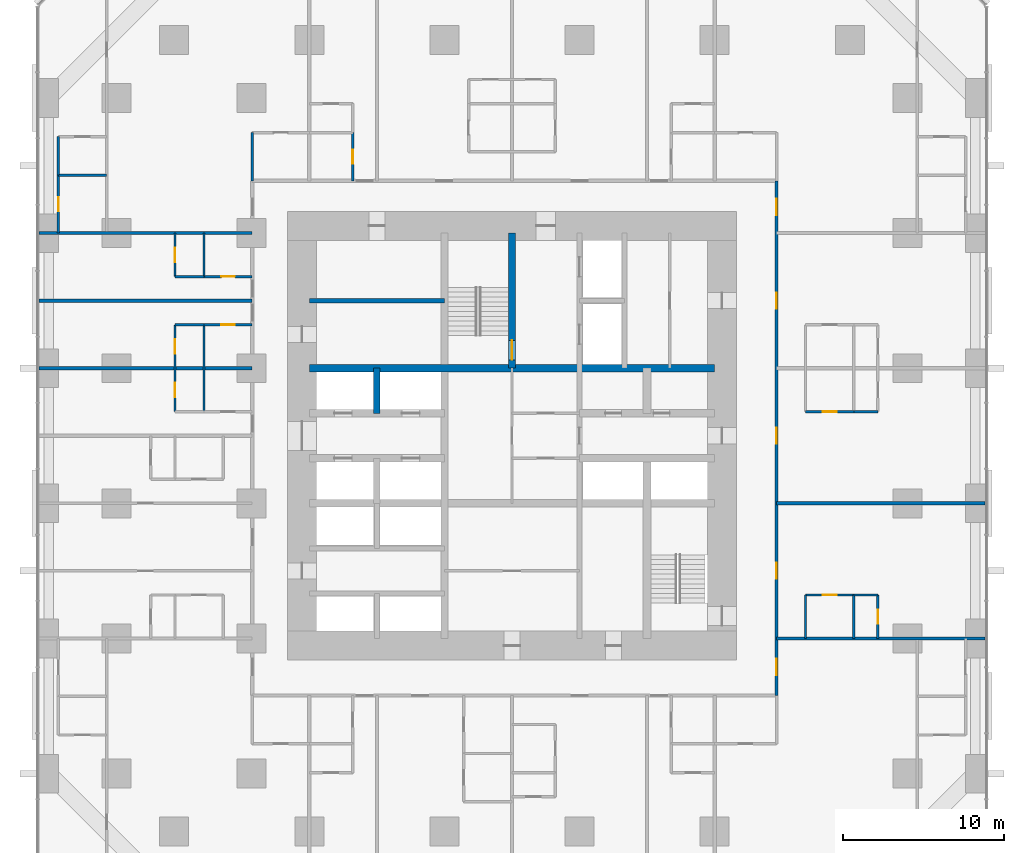
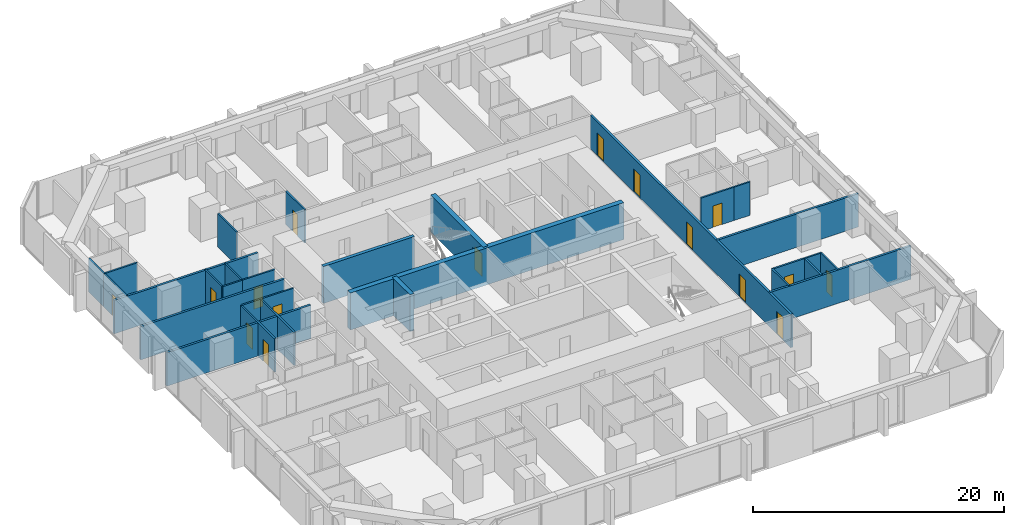
# One storey, part 14 of 17: 30 walls, 16 doors, 16 openings.
"""IFC4 building model written with IfcOpenShell, lengths in metres."""

from ifc_helpers import new_model, si_unit, direction, frame, frame_2d, origin, place, context, subcontext, project, spatial, rectangle, extrude, material, layer, layer_set, type_object, element, fill, save


model = new_model("IFC4")

# Units and contexts
model_context = context("Model", 3, precision=1e-05, world=origin(), true_north=direction((0.0, 1.0)))
body_context = subcontext(model_context, "Body", "Model", "MODEL_VIEW")
ifc_project = project(units=[si_unit("LENGTHUNIT", "METRE"), si_unit("AREAUNIT", "SQUARE_METRE"), si_unit("VOLUMEUNIT", "CUBIC_METRE"), si_unit("PLANEANGLEUNIT", "RADIAN"), si_unit("MASSUNIT", "GRAM", prefix="KILO")], contexts=[model_context])

# Site, building, storey
site_placement = place(None, origin())
site = spatial("IfcSite", under=ifc_project, at=site_placement, CompositionType="ELEMENT")
building_placement = place(site_placement, origin())
building = spatial("IfcBuilding", under=site, at=building_placement, Name="Dunama Terrace Hotel", CompositionType="ELEMENT")
storey_placement = place(building_placement, frame((0.0, 0.0, 34.199951171875)))
storey = spatial("IfcBuildingStorey", under=building, at=storey_placement, Name="L07", CompositionType="ELEMENT", Elevation=34.199951171875)

# Wall, opening, door
ifc_material_1 = material(Name="Gypsum board partition", Category="masonry")
ifc_layer_1 = layer(ifc_material_1, 0.14990234375)
ifc_layer_set_1 = layer_set([ifc_layer_1], Name="Bathroom partition 150")
wall_type_1 = type_object("IfcWallType", Name="Bathroom partition 150", PredefinedType="PARTITIONING", material=ifc_layer_set_1)
wall_1_placement = place(storey_placement, frame((1.199951171875, 42.0, 0.0), z_axis=(0.0, 0.0, 1.0), x_axis=(0.0, 1.0, 0.0)))
wall_1 = element("IfcWall", 1, at=wall_1_placement, inside=storey, type_object=wall_type_1, Name="Bathroom partition 150 L07", PredefinedType="PARTITIONING", context=body_context, shape_type="SweptSolid", body=[
    extrude(rectangle(XDim=3.60009765625, YDim=0.14990234375, at=frame_2d((1.800048828125, 0.0))), origin(), (0.0, 0.0, 1.0), 3.25),
])
opening_1_placement = place(wall_1_placement, frame((1.375, 0.0, 0.0)))
opening_1 = element("IfcOpeningElement", 2, at=opening_1_placement, cuts=wall_1, Name="Opening L07-09-076", PredefinedType="OPENING", context=body_context, shape_type="SweptSolid", body=[
    extrude(rectangle(XDim=0.85009765625, YDim=2.10009765625, at=frame_2d((0.425048828125, 1.050048828125))), frame((0.0, 0.0849609375, 0.0), z_axis=(0.0, -1.0, 0.0), x_axis=(1.0, 0.0, 0.0)), (0.0, 0.0, 1.0), 0.169921875),
])
ifc_material_2 = material(Name="Timber door with steel frame", Category="steel")
door_type_1 = type_object("IfcDoorType", Name="Bathroom door 850", OperationType="SINGLE_SWING_LEFT", PredefinedType="DOOR", material=ifc_material_2)
door_1_placement = place(opening_1_placement, frame((0.85009765625, 0.0, 0.0), z_axis=(0.0, 0.0, 1.0), x_axis=(-1.0, 0.0, 0.0)))
door_1 = element("IfcDoor", 3, at=door_1_placement, inside=storey, type_object=door_type_1, Name="Door to en-suite bathroom L07-09-076, type D2", OperationType="SINGLE_SWING_RIGHT", OverallHeight=2.10009765625, OverallWidth=0.85009765625, PredefinedType="DOOR", context=body_context, shape_type="SweptSolid", body=[
    extrude(rectangle(XDim=0.85009765625, YDim=2.10009765625, at=frame_2d((0.425048828125, 1.050048828125))), frame((0.0, 0.025146484375, 0.0), z_axis=(0.0, -1.0, 0.0), x_axis=(1.0, 0.0, 0.0)), (0.0, 0.0, 1.0), 0.050048828125),
])
fill(opening_1, door_1)

# Wall
wall_2_placement = place(storey_placement, frame((13.25, 45.25, 0.0), z_axis=(0.0, 0.0, 1.0), x_axis=(0.0, 1.0, 0.0)))
element("IfcWall", 4, at=wall_2_placement, inside=storey, type_object=wall_type_1, Name="Bathroom partition 150 L07", PredefinedType="PARTITIONING", context=body_context, shape_type="SweptSolid", body=[
    extrude(rectangle(XDim=3.0, YDim=0.14990234375, at=frame_2d((1.5, 0.0))), origin(), (0.0, 0.0, 1.0), 3.25),
])

# Wall, opening, door
wall_3_placement = place(storey_placement, frame((19.5, 45.25, 0.0), z_axis=(0.0, 0.0, 1.0), x_axis=(0.0, 1.0, 0.0)))
wall_3 = element("IfcWall", 5, at=wall_3_placement, inside=storey, type_object=wall_type_1, Name="Bathroom partition 150 L07", PredefinedType="PARTITIONING", context=body_context, shape_type="SweptSolid", body=[
    extrude(rectangle(XDim=3.0, YDim=0.14990234375, at=frame_2d((1.5, 0.0))), origin(), (0.0, 0.0, 1.0), 3.25),
])
opening_2_placement = place(wall_3_placement, frame((1.074951171875, 0.0, 0.0)))
opening_2 = element("IfcOpeningElement", 6, at=opening_2_placement, cuts=wall_3, Name="Opening L07-09-031", PredefinedType="OPENING", context=body_context, shape_type="SweptSolid", body=[
    extrude(rectangle(XDim=0.85009765625, YDim=2.10009765625, at=frame_2d((0.425048828125, 1.050048828125))), frame((0.0, 0.0849609375, 0.0), z_axis=(0.0, -1.0, 0.0), x_axis=(1.0, 0.0, 0.0)), (0.0, 0.0, 1.0), 0.169921875),
])
door_2_placement = place(opening_2_placement, origin())
door_2 = element("IfcDoor", 7, at=door_2_placement, inside=storey, type_object=door_type_1, Name="Door to en-suite bathroom L07-09-031, type D2", OperationType="SINGLE_SWING_LEFT", OverallHeight=2.10009765625, OverallWidth=0.85009765625, PredefinedType="DOOR", context=body_context, shape_type="SweptSolid", body=[
    extrude(rectangle(XDim=0.85009765625, YDim=2.10009765625, at=frame_2d((0.425048828125, 1.050048828125))), frame((0.0, 0.02490234375, 0.0), z_axis=(0.0, -1.0, 0.0), x_axis=(1.0, 0.0, 0.0)), (0.0, 0.0, 1.0), 0.050048828125),
])
fill(opening_2, door_2)

# Wall
wall_4_placement = place(storey_placement, frame((47.64990234375, 16.800048828125, 0.0), z_axis=(0.0, 0.0, 1.0), x_axis=(0.0, 1.0, 0.0)))
element("IfcWall", 8, at=wall_4_placement, inside=storey, type_object=wall_type_1, Name="Bathroom partition 150 L07", PredefinedType="PARTITIONING", context=body_context, shape_type="SweptSolid", body=[
    extrude(rectangle(XDim=2.699951171875, YDim=0.14990234375, at=frame_2d((1.35009765625, 0.0))), origin(), (0.0, 0.0, 1.0), 3.25),
])

# Wall, opening, door
wall_5_placement = place(storey_placement, frame((47.64990234375, 19.5, 0.0), z_axis=(0.0, 0.0, 1.0), x_axis=(1.0, 0.0, 0.0)))
wall_5 = element("IfcWall", 9, at=wall_5_placement, inside=storey, type_object=wall_type_1, Name="Bathroom partition 150 L07", PredefinedType="PARTITIONING", context=body_context, shape_type="SweptSolid", body=[
    extrude(rectangle(XDim=3.0, YDim=0.14990234375, at=frame_2d((1.5, 0.0))), origin(), (0.0, 0.0, 1.0), 3.25),
])
opening_3_placement = place(wall_5_placement, frame((1.074951171875, 0.0, 0.0)))
opening_3 = element("IfcOpeningElement", 10, at=opening_3_placement, cuts=wall_5, Name="Opening L07-09-022", PredefinedType="OPENING", context=body_context, shape_type="SweptSolid", body=[
    extrude(rectangle(XDim=0.85009765625, YDim=2.10009765625, at=frame_2d((0.425048828125, 1.050048828125))), frame((0.0, 0.0849609375, 0.0), z_axis=(0.0, -1.0, 0.0), x_axis=(1.0, 0.0, 0.0)), (0.0, 0.0, 1.0), 0.169921875),
])
door_3_placement = place(opening_3_placement, frame((0.85009765625, 0.0, 0.0), z_axis=(0.0, 0.0, 1.0), x_axis=(-1.0, 0.0, 0.0)))
door_3 = element("IfcDoor", 11, at=door_3_placement, inside=storey, type_object=door_type_1, Name="Door to en-suite bathroom L07-09-022, type D2", OperationType="SINGLE_SWING_LEFT", OverallHeight=2.10009765625, OverallWidth=0.85009765625, PredefinedType="DOOR", context=body_context, shape_type="SweptSolid", body=[
    extrude(rectangle(XDim=0.85009765625, YDim=2.10009765625, at=frame_2d((0.425048828125, 1.050048828125))), frame((0.0, 0.025146484375, 0.0), z_axis=(0.0, -1.0, 0.0), x_axis=(1.0, 0.0, 0.0)), (0.0, 0.0, 1.0), 0.050048828125),
])
fill(opening_3, door_3)

wall_6_placement = place(storey_placement, frame((47.64990234375, 30.89990234375, 0.0), z_axis=(0.0, 0.0, 1.0), x_axis=(1.0, 0.0, 0.0)))
wall_6 = element("IfcWall", 12, at=wall_6_placement, inside=storey, type_object=wall_type_1, Name="Bathroom partition 150 L07", PredefinedType="PARTITIONING", context=body_context, shape_type="SweptSolid", body=[
    extrude(rectangle(XDim=3.0, YDim=0.14990234375, at=frame_2d((1.5, 0.0))), origin(), (0.0, 0.0, 1.0), 3.25),
])
opening_4_placement = place(wall_6_placement, frame((1.074951171875, 0.0, 0.0)))
opening_4 = element("IfcOpeningElement", 13, at=opening_4_placement, cuts=wall_6, Name="Opening L07-09-025", PredefinedType="OPENING", context=body_context, shape_type="SweptSolid", body=[
    extrude(rectangle(XDim=0.85009765625, YDim=2.10009765625, at=frame_2d((0.425048828125, 1.050048828125))), frame((0.0, 0.0849609375, 0.0), z_axis=(0.0, -1.0, 0.0), x_axis=(1.0, 0.0, 0.0)), (0.0, 0.0, 1.0), 0.169921875),
])
door_4_placement = place(opening_4_placement, origin())
door_4 = element("IfcDoor", 14, at=door_4_placement, inside=storey, type_object=door_type_1, Name="Door to en-suite bathroom L07-09-025, type D2", OperationType="SINGLE_SWING_RIGHT", OverallHeight=2.10009765625, OverallWidth=0.85009765625, PredefinedType="DOOR", context=body_context, shape_type="SweptSolid", body=[
    extrude(rectangle(XDim=0.85009765625, YDim=2.10009765625, at=frame_2d((0.425048828125, 1.050048828125))), frame((0.0, 0.02490234375, 0.0), z_axis=(0.0, -1.0, 0.0), x_axis=(1.0, 0.0, 0.0)), (0.0, 0.0, 1.0), 0.050048828125),
])
fill(opening_4, door_4)

wall_7_placement = place(storey_placement, frame((10.25, 36.300048828125, 0.0), z_axis=(0.0, 0.0, 1.0), x_axis=(1.0, 0.0, 0.0)))
wall_7 = element("IfcWall", 15, at=wall_7_placement, inside=storey, type_object=wall_type_1, Name="Bathroom partition 150 L07", PredefinedType="PARTITIONING", context=body_context, shape_type="SweptSolid", body=[
    extrude(rectangle(XDim=3.0, YDim=0.14990234375, at=frame_2d((1.5, 0.0))), origin(), (0.0, 0.0, 1.0), 3.25),
])
opening_5_placement = place(wall_7_placement, frame((1.074951171875, 0.0, 0.0)))
opening_5 = element("IfcOpeningElement", 16, at=opening_5_placement, cuts=wall_7, Name="Opening L07-09-053", PredefinedType="OPENING", context=body_context, shape_type="SweptSolid", body=[
    extrude(rectangle(XDim=0.85009765625, YDim=2.10009765625, at=frame_2d((0.425048828125, 1.050048828125))), frame((0.0, 0.0849609375, 0.0), z_axis=(0.0, -1.0, 0.0), x_axis=(1.0, 0.0, 0.0)), (0.0, 0.0, 1.0), 0.169921875),
])
door_5_placement = place(opening_5_placement, frame((0.85009765625, 0.0, 0.0), z_axis=(0.0, 0.0, 1.0), x_axis=(-1.0, 0.0, 0.0)))
door_5 = element("IfcDoor", 17, at=door_5_placement, inside=storey, type_object=door_type_1, Name="Door to en-suite bathroom L07-09-053, type D2", OperationType="SINGLE_SWING_LEFT", OverallHeight=2.10009765625, OverallWidth=0.85009765625, PredefinedType="DOOR", context=body_context, shape_type="SweptSolid", body=[
    extrude(rectangle(XDim=0.85009765625, YDim=2.10009765625, at=frame_2d((0.425048828125, 1.050048828125))), frame((0.0, 0.025146484375, 0.0), z_axis=(0.0, -1.0, 0.0), x_axis=(1.0, 0.0, 0.0)), (0.0, 0.0, 1.0), 0.050048828125),
])
fill(opening_5, door_5)

wall_8_placement = place(storey_placement, frame((10.25, 39.300048828125, 0.0), z_axis=(0.0, 0.0, 1.0), x_axis=(1.0, 0.0, 0.0)))
wall_8 = element("IfcWall", 18, at=wall_8_placement, inside=storey, type_object=wall_type_1, Name="Bathroom partition 150 L07", PredefinedType="PARTITIONING", context=body_context, shape_type="SweptSolid", body=[
    extrude(rectangle(XDim=3.0, YDim=0.14990234375, at=frame_2d((1.5, 0.0))), origin(), (0.0, 0.0, 1.0), 3.25),
])
opening_6_placement = place(wall_8_placement, frame((1.074951171875, 0.0, 0.0)))
opening_6 = element("IfcOpeningElement", 19, at=opening_6_placement, cuts=wall_8, Name="Opening L07-09-056", PredefinedType="OPENING", context=body_context, shape_type="SweptSolid", body=[
    extrude(rectangle(XDim=0.85009765625, YDim=2.10009765625, at=frame_2d((0.425048828125, 1.050048828125))), frame((0.0, 0.0849609375, 0.0), z_axis=(0.0, -1.0, 0.0), x_axis=(1.0, 0.0, 0.0)), (0.0, 0.0, 1.0), 0.169921875),
])
door_6_placement = place(opening_6_placement, origin())
door_6 = element("IfcDoor", 20, at=door_6_placement, inside=storey, type_object=door_type_1, Name="Door to en-suite bathroom L07-09-056, type D2", OperationType="SINGLE_SWING_RIGHT", OverallHeight=2.10009765625, OverallWidth=0.85009765625, PredefinedType="DOOR", context=body_context, shape_type="SweptSolid", body=[
    extrude(rectangle(XDim=0.85009765625, YDim=2.10009765625, at=frame_2d((0.425048828125, 1.050048828125))), frame((0.0, 0.02490234375, 0.0), z_axis=(0.0, -1.0, 0.0), x_axis=(1.0, 0.0, 0.0)), (0.0, 0.0, 1.0), 0.050048828125),
])
fill(opening_6, door_6)

# Walls
ifc_material_3 = material(Name="Concrete C50/60", Category="concrete")
ifc_layer_2 = layer(ifc_material_3, 0.300048828125)
ifc_layer_set_2 = layer_set([ifc_layer_2], Name="Core inner wall 300")
wall_type_2 = type_object("IfcWallType", Name="Core inner wall 300", PredefinedType="SHEAR", material=ifc_layer_set_2)
wall_9_placement = place(storey_placement, frame((16.800048828125, 37.800048828125, -0.349853515625), z_axis=(0.0, 0.0, 1.0), x_axis=(1.0, 0.0, 0.0)))
element("IfcWall", 21, at=wall_9_placement, inside=storey, type_object=wall_type_2, Name="Core inner wall 300 L07", PredefinedType="SHEAR", context=body_context, shape_type="SweptSolid", body=[
    extrude(rectangle(XDim=8.39990234375, YDim=0.300048828125, at=frame_2d((4.199951171875, 0.0))), origin(), (0.0, 0.0, 1.0), 3.599853515625),
])
ifc_material_4 = material(Name="Concrete C50/60", Category="concrete")
ifc_layer_3 = layer(ifc_material_4, 0.39990234375)
ifc_layer_set_3 = layer_set([ifc_layer_3], Name="Core inner wall 400")
wall_type_3 = type_object("IfcWallType", Name="Core inner wall 400", PredefinedType="SHEAR", material=ifc_layer_set_3)
wall_10_placement = place(storey_placement, frame((21.0, 30.800048828125, -0.349853515625), z_axis=(0.0, 0.0, 1.0), x_axis=(0.0, 1.0, 0.0)))
element("IfcWall", 22, at=wall_10_placement, inside=storey, type_object=wall_type_3, Name="Core inner wall 400 L07", PredefinedType="SHEAR", context=body_context, shape_type="SweptSolid", body=[
    extrude(rectangle(XDim=2.800048828125, YDim=0.39990234375, at=frame_2d((1.39990234375, 0.0))), origin(), (0.0, 0.0, 1.0), 3.599853515625),
])

# Wall, opening, door
ifc_material_5 = material(Name="Concrete C50/60", Category="concrete")
ifc_layer_4 = layer(ifc_material_5, 0.449951171875)
ifc_layer_set_4 = layer_set([ifc_layer_4], Name="Core inner wall 450")
wall_type_4 = type_object("IfcWallType", Name="Core inner wall 450", PredefinedType="SHEAR", material=ifc_layer_set_4)
wall_11_placement = place(storey_placement, frame((29.39990234375, 33.60009765625, -0.349853515625), z_axis=(0.0, 0.0, 1.0), x_axis=(0.0, 1.0, 0.0)))
wall_11 = element("IfcWall", 23, at=wall_11_placement, inside=storey, type_object=wall_type_4, Name="Core inner wall 450 L07", PredefinedType="SHEAR", context=body_context, shape_type="SweptSolid", body=[
    extrude(rectangle(XDim=8.39990234375, YDim=0.449951171875, at=frame_2d((4.199951171875, 0.0))), origin(), (0.0, 0.0, 1.0), 3.599853515625),
])
opening_7_placement = place(wall_11_placement, frame((0.52490234375, 0.0, 0.35009765625)))
opening_7 = element("IfcOpeningElement", 24, at=opening_7_placement, cuts=wall_11, Name="Opening L07-09-001", PredefinedType="OPENING", context=body_context, shape_type="SweptSolid", body=[
    extrude(rectangle(XDim=1.199951171875, YDim=2.199951171875, at=frame_2d((0.60009765625, 1.10009765625))), frame((0.0, 0.23486328125, 0.0), z_axis=(0.0, -1.0, 0.0), x_axis=(1.0, 0.0, 0.0)), (0.0, 0.0, 1.0), 0.469970703125),
])
ifc_material_6 = material(Name="Timber door with steel frame", Category="steel")
door_type_2 = type_object("IfcDoorType", Name="Stair door 1200", OperationType="SINGLE_SWING_LEFT", PredefinedType="DOOR", material=ifc_material_6)
door_7_placement = place(opening_7_placement, origin())
door_7 = element("IfcDoor", 25, at=door_7_placement, inside=storey, type_object=door_type_2, Name="Stair door ST1 L07-09-001, type D5", OperationType="SINGLE_SWING_LEFT", OverallHeight=2.199951171875, OverallWidth=1.199951171875, PredefinedType="DOOR", context=body_context, shape_type="SweptSolid", body=[
    extrude(rectangle(XDim=1.199951171875, YDim=2.199951171875, at=frame_2d((0.60009765625, 1.10009765625))), frame((0.0, 0.02490234375, 0.0), z_axis=(0.0, -1.0, 0.0), x_axis=(1.0, 0.0, 0.0)), (0.0, 0.0, 1.0), 0.050048828125),
])
fill(opening_7, door_7)

# Wall
wall_12_placement = place(storey_placement, frame((16.800048828125, 33.60009765625, -0.349853515625), z_axis=(0.0, 0.0, 1.0), x_axis=(1.0, 0.0, 0.0)))
element("IfcWall", 26, at=wall_12_placement, inside=storey, type_object=wall_type_4, Name="Core inner wall 450 L07", PredefinedType="SHEAR", context=body_context, shape_type="SweptSolid", body=[
    extrude(rectangle(XDim=25.199951171875, YDim=0.449951171875, at=frame_2d((12.60009765625, 0.0))), origin(), (0.0, 0.0, 1.0), 3.599853515625),
])

# Wall, openings, doors
ifc_material_7 = material(Name="Concrete blockwork", Category="masonry")
ifc_layer_5 = layer(ifc_material_7, 0.199951171875)
ifc_layer_set_5 = layer_set([ifc_layer_5], Name="Corridor partition 200")
wall_type_5 = type_object("IfcWallType", Name="Corridor partition 200", PredefinedType="PARTITIONING", material=ifc_layer_set_5)
wall_13_placement = place(storey_placement, frame((45.85009765625, 45.25, 0.0), z_axis=(0.0, 0.0, 1.0), x_axis=(0.0, -1.0, 0.0)))
wall_13 = element("IfcWall", 27, at=wall_13_placement, inside=storey, type_object=wall_type_5, Name="Corridor partition 200 L07", PredefinedType="PARTITIONING", context=body_context, shape_type="SweptSolid", body=[
    extrude(rectangle(XDim=32.0, YDim=0.199951171875, at=frame_2d((16.0, 0.0))), origin(), (0.0, 0.0, 1.0), 3.25),
])
opening_8_placement = place(wall_13_placement, frame((23.75, 0.0, 0.0)))
opening_8 = element("IfcOpeningElement", 28, at=opening_8_placement, cuts=wall_13, Name="Opening L07-09-021", PredefinedType="OPENING", context=body_context, shape_type="SweptSolid", body=[
    extrude(rectangle(XDim=1.0, YDim=2.199951171875, at=frame_2d((0.5, 1.10009765625))), frame((0.0, 0.10986328125, 0.0), z_axis=(0.0, -1.0, 0.0), x_axis=(1.0, 0.0, 0.0)), (0.0, 0.0, 1.0), 0.219970703125),
])
opening_9_placement = place(wall_13_placement, frame((15.35009765625, 0.0, 0.0)))
opening_9 = element("IfcOpeningElement", 29, at=opening_9_placement, cuts=wall_13, Name="Opening L07-09-024", PredefinedType="OPENING", context=body_context, shape_type="SweptSolid", body=[
    extrude(rectangle(XDim=1.0, YDim=2.199951171875, at=frame_2d((0.5, 1.10009765625))), frame((0.0, 0.10986328125, 0.0), z_axis=(0.0, -1.0, 0.0), x_axis=(1.0, 0.0, 0.0)), (0.0, 0.0, 1.0), 0.219970703125),
])
opening_10_placement = place(wall_13_placement, frame((6.949951171875, 0.0, 0.0)))
opening_10 = element("IfcOpeningElement", 30, at=opening_10_placement, cuts=wall_13, Name="Opening L07-09-027", PredefinedType="OPENING", context=body_context, shape_type="SweptSolid", body=[
    extrude(rectangle(XDim=1.0, YDim=2.199951171875, at=frame_2d((0.5, 1.10009765625))), frame((0.0, 0.10986328125, 0.0), z_axis=(0.0, -1.0, 0.0), x_axis=(1.0, 0.0, 0.0)), (0.0, 0.0, 1.0), 0.219970703125),
])
opening_11_placement = place(wall_13_placement, frame((29.72509765625, 0.0, 0.0)))
opening_11 = element("IfcOpeningElement", 31, at=opening_11_placement, cuts=wall_13, Name="Opening L07-09-063", PredefinedType="OPENING", context=body_context, shape_type="SweptSolid", body=[
    extrude(rectangle(XDim=1.0, YDim=2.199951171875, at=frame_2d((0.5, 1.10009765625))), frame((0.0, 0.10986328125, 0.0), z_axis=(0.0, -1.0, 0.0), x_axis=(1.0, 0.0, 0.0)), (0.0, 0.0, 1.0), 0.219970703125),
])
opening_12_placement = place(wall_13_placement, frame((1.125, 0.0, 0.0)))
opening_12 = element("IfcOpeningElement", 32, at=opening_12_placement, cuts=wall_13, Name="Opening L07-09-068", PredefinedType="OPENING", context=body_context, shape_type="SweptSolid", body=[
    extrude(rectangle(XDim=1.0, YDim=2.199951171875, at=frame_2d((0.5, 1.10009765625))), frame((0.0, 0.10986328125, 0.0), z_axis=(0.0, -1.0, 0.0), x_axis=(1.0, 0.0, 0.0)), (0.0, 0.0, 1.0), 0.219970703125),
])
ifc_material_8 = material(Name="Timber door with steel frame", Category="steel")
door_type_3 = type_object("IfcDoorType", Name="Guest room door 1000", OperationType="SINGLE_SWING_LEFT", PredefinedType="DOOR", material=ifc_material_8)
door_8_placement = place(opening_8_placement, origin())
door_8 = element("IfcDoor", 33, at=door_8_placement, inside=storey, type_object=door_type_3, Name="Door to junior suite L07-09-021, type D1", OperationType="SINGLE_SWING_RIGHT", OverallHeight=2.199951171875, OverallWidth=1.0, PredefinedType="DOOR", context=body_context, shape_type="SweptSolid", body=[
    extrude(rectangle(XDim=1.0, YDim=2.199951171875, at=frame_2d((0.5, 1.10009765625))), frame((0.0, 0.02490234375, 0.0), z_axis=(0.0, -1.0, 0.0), x_axis=(1.0, 0.0, 0.0)), (0.0, 0.0, 1.0), 0.050048828125),
])
fill(opening_8, door_8)
door_9_placement = place(opening_9_placement, origin())
door_9 = element("IfcDoor", 34, at=door_9_placement, inside=storey, type_object=door_type_3, Name="Door to junior suite L07-09-024, type D1", OperationType="SINGLE_SWING_LEFT", OverallHeight=2.199951171875, OverallWidth=1.0, PredefinedType="DOOR", context=body_context, shape_type="SweptSolid", body=[
    extrude(rectangle(XDim=1.0, YDim=2.199951171875, at=frame_2d((0.5, 1.10009765625))), frame((0.0, 0.02490234375, 0.0), z_axis=(0.0, -1.0, 0.0), x_axis=(1.0, 0.0, 0.0)), (0.0, 0.0, 1.0), 0.050048828125),
])
fill(opening_9, door_9)
door_10_placement = place(opening_10_placement, origin())
door_10 = element("IfcDoor", 35, at=door_10_placement, inside=storey, type_object=door_type_3, Name="Door to junior suite L07-09-027, type D1", OperationType="SINGLE_SWING_RIGHT", OverallHeight=2.199951171875, OverallWidth=1.0, PredefinedType="DOOR", context=body_context, shape_type="SweptSolid", body=[
    extrude(rectangle(XDim=1.0, YDim=2.199951171875, at=frame_2d((0.5, 1.10009765625))), frame((0.0, 0.02490234375, 0.0), z_axis=(0.0, -1.0, 0.0), x_axis=(1.0, 0.0, 0.0)), (0.0, 0.0, 1.0), 0.050048828125),
])
fill(opening_10, door_10)
door_11_placement = place(opening_11_placement, origin())
door_11 = element("IfcDoor", 36, at=door_11_placement, inside=storey, type_object=door_type_3, Name="Door to corner suite living room L07-09-063, type D1", OperationType="SINGLE_SWING_RIGHT", OverallHeight=2.199951171875, OverallWidth=1.0, PredefinedType="DOOR", context=body_context, shape_type="SweptSolid", body=[
    extrude(rectangle(XDim=1.0, YDim=2.199951171875, at=frame_2d((0.5, 1.10009765625))), frame((0.0, 0.02490234375, 0.0), z_axis=(0.0, -1.0, 0.0), x_axis=(1.0, 0.0, 0.0)), (0.0, 0.0, 1.0), 0.050048828125),
])
fill(opening_11, door_11)
door_12_placement = place(opening_12_placement, origin())
door_12 = element("IfcDoor", 37, at=door_12_placement, inside=storey, type_object=door_type_3, Name="Door to corner suite living room L07-09-068, type D1", OperationType="SINGLE_SWING_LEFT", OverallHeight=2.199951171875, OverallWidth=1.0, PredefinedType="DOOR", context=body_context, shape_type="SweptSolid", body=[
    extrude(rectangle(XDim=1.0, YDim=2.199951171875, at=frame_2d((0.5, 1.10009765625))), frame((0.0, 0.02490234375, 0.0), z_axis=(0.0, -1.0, 0.0), x_axis=(1.0, 0.0, 0.0)), (0.0, 0.0, 1.0), 0.050048828125),
])
fill(opening_12, door_12)

# Walls
ifc_material_9 = material(Name="Concrete blockwork", Category="masonry")
ifc_layer_6 = layer(ifc_material_9, 0.199951171875)
ifc_layer_set_6 = layer_set([ifc_layer_6], Name="Party wall 200")
wall_type_6 = type_object("IfcWallType", Name="Party wall 200", PredefinedType="PARTITIONING", material=ifc_layer_set_6)
for number, where, z_axis, x_axis, name in (
    (38, (45.85009765625, 16.800048828125, 0.0), (0.0, 0.0, 1.0), (1.0, 0.0, 0.0), "Party wall 200 L07"),
    (39, (45.85009765625, 25.199951171875, 0.0), (0.0, 0.0, 1.0), (1.0, 0.0, 0.0), "Party wall 200 L07"),
):
    element("IfcWall", number, at=place(storey_placement, frame(where, z_axis=z_axis, x_axis=x_axis)), inside=storey, type_object=wall_type_6, Name=name, PredefinedType="PARTITIONING", context=body_context, shape_type="SweptSolid", body=[
        extrude(rectangle(XDim=12.9580078125, YDim=0.199951171875, at=frame_2d((6.47900390625, 0.0))), origin(), (0.0, 0.0, 1.0), 3.25),
    ])
for number, where, z_axis, x_axis, name in (
    (40, (-0.008056640625, 33.60009765625, 0.0), (0.0, 0.0, 1.0), (1.0, 0.0, 0.0), "Party wall 200 L07"),
    (41, (-0.008056640625, 37.800048828125, 0.0), (0.0, 0.0, 1.0), (1.0, 0.0, 0.0), "Party wall 200 L07"),
    (42, (-0.008056640625, 42.0, 0.0), (0.0, 0.0, 1.0), (1.0, 0.0, 0.0), "Party wall 200 L07"),
):
    element("IfcWall", number, at=place(storey_placement, frame(where, z_axis=z_axis, x_axis=x_axis)), inside=storey, type_object=wall_type_6, Name=name, PredefinedType="PARTITIONING", context=body_context, shape_type="SweptSolid", body=[
        extrude(rectangle(XDim=13.258056640625, YDim=0.199951171875, at=frame_2d((6.62890625, 0.0))), origin(), (0.0, 0.0, 1.0), 3.25),
    ])
ifc_material_10 = material(Name="Gypsum board partition", Category="masonry")
ifc_layer_7 = layer(ifc_material_10, 0.14990234375)
ifc_layer_set_7 = layer_set([ifc_layer_7], Name="Room partition 150")
wall_type_7 = type_object("IfcWallType", Name="Room partition 150", PredefinedType="PARTITIONING", material=ifc_layer_set_7)
wall_14_placement = place(storey_placement, frame((1.199951171875, 45.60009765625, 0.0), z_axis=(0.0, 0.0, 1.0), x_axis=(0.0, 1.0, 0.0)))
element("IfcWall", 43, at=wall_14_placement, inside=storey, type_object=wall_type_7, Name="Room partition 150 L07", PredefinedType="PARTITIONING", context=body_context, shape_type="SweptSolid", body=[
    extrude(rectangle(XDim=2.39990234375, YDim=0.14990234375, at=frame_2d((1.199951171875, 0.0))), origin(), (0.0, 0.0, 1.0), 3.25),
])

# Wall, openings, doors
wall_15_placement = place(storey_placement, frame((8.449951171875, 30.89990234375, 0.0), z_axis=(0.0, 0.0, 1.0), x_axis=(0.0, 1.0, 0.0)))
wall_15 = element("IfcWall", 44, at=wall_15_placement, inside=storey, type_object=wall_type_7, Name="Room partition 150 L07", PredefinedType="PARTITIONING", context=body_context, shape_type="SweptSolid", body=[
    extrude(rectangle(XDim=5.400146484375, YDim=0.14990234375, at=frame_2d((2.7001953125, 0.0))), origin(), (0.0, 0.0, 1.0), 3.25),
])
opening_13_placement = place(wall_15_placement, frame((0.89990234375, 0.0, 0.0)))
opening_13 = element("IfcOpeningElement", 45, at=opening_13_placement, cuts=wall_15, Name="Opening L07-09-051", PredefinedType="OPENING", context=body_context, shape_type="SweptSolid", body=[
    extrude(rectangle(XDim=0.89990234375, YDim=2.10009765625, at=frame_2d((0.449951171875, 1.050048828125))), frame((0.0, 0.0849609375, 0.0), z_axis=(0.0, -1.0, 0.0), x_axis=(1.0, 0.0, 0.0)), (0.0, 0.0, 1.0), 0.169921875),
])
opening_14_placement = place(wall_15_placement, frame((3.60009765625, 0.0, 0.0)))
opening_14 = element("IfcOpeningElement", 46, at=opening_14_placement, cuts=wall_15, Name="Opening L07-09-054", PredefinedType="OPENING", context=body_context, shape_type="SweptSolid", body=[
    extrude(rectangle(XDim=0.89990234375, YDim=2.10009765625, at=frame_2d((0.449951171875, 1.050048828125))), frame((0.0, 0.0849609375, 0.0), z_axis=(0.0, -1.0, 0.0), x_axis=(1.0, 0.0, 0.0)), (0.0, 0.0, 1.0), 0.169921875),
])
ifc_material_11 = material(Name="Timber door with steel frame", Category="steel")
door_type_4 = type_object("IfcDoorType", Name="Suite internal door 900", OperationType="SINGLE_SWING_LEFT", PredefinedType="DOOR", material=ifc_material_11)
door_13_placement = place(opening_13_placement, frame((0.89990234375, 0.0, 0.0), z_axis=(0.0, 0.0, 1.0), x_axis=(-1.0, 0.0, 0.0)))
door_13 = element("IfcDoor", 47, at=door_13_placement, inside=storey, type_object=door_type_4, Name="Door to walk-in wardrobe L07-09-051, type D16", OperationType="SINGLE_SWING_LEFT", OverallHeight=2.10009765625, OverallWidth=0.89990234375, PredefinedType="DOOR", context=body_context, shape_type="SweptSolid", body=[
    extrude(rectangle(XDim=0.89990234375, YDim=2.10009765625, at=frame_2d((0.449951171875, 1.050048828125))), frame((0.0, 0.025146484375, 0.0), z_axis=(0.0, -1.0, 0.0), x_axis=(1.0, 0.0, 0.0)), (0.0, 0.0, 1.0), 0.050048828125),
])
fill(opening_13, door_13)
door_14_placement = place(opening_14_placement, frame((0.89990234375, 0.0, 0.0), z_axis=(0.0, 0.0, 1.0), x_axis=(-1.0, 0.0, 0.0)))
door_14 = element("IfcDoor", 48, at=door_14_placement, inside=storey, type_object=door_type_4, Name="Door to walk-in wardrobe L07-09-054, type D16", OperationType="SINGLE_SWING_RIGHT", OverallHeight=2.10009765625, OverallWidth=0.89990234375, PredefinedType="DOOR", context=body_context, shape_type="SweptSolid", body=[
    extrude(rectangle(XDim=0.89990234375, YDim=2.10009765625, at=frame_2d((0.449951171875, 1.050048828125))), frame((0.0, 0.025146484375, 0.0), z_axis=(0.0, -1.0, 0.0), x_axis=(1.0, 0.0, 0.0)), (0.0, 0.0, 1.0), 0.050048828125),
])
fill(opening_14, door_14)

# Wall, opening, door
wall_16_placement = place(storey_placement, frame((8.449951171875, 39.300048828125, 0.0), z_axis=(0.0, 0.0, 1.0), x_axis=(0.0, 1.0, 0.0)))
wall_16 = element("IfcWall", 49, at=wall_16_placement, inside=storey, type_object=wall_type_7, Name="Room partition 150 L07", PredefinedType="PARTITIONING", context=body_context, shape_type="SweptSolid", body=[
    extrude(rectangle(XDim=2.699951171875, YDim=0.14990234375, at=frame_2d((1.35009765625, 0.0))), origin(), (0.0, 0.0, 1.0), 3.25),
])
opening_15_placement = place(wall_16_placement, frame((0.89990234375, 0.0, 0.0)))
opening_15 = element("IfcOpeningElement", 50, at=opening_15_placement, cuts=wall_16, Name="Opening L07-09-057", PredefinedType="OPENING", context=body_context, shape_type="SweptSolid", body=[
    extrude(rectangle(XDim=0.89990234375, YDim=2.10009765625, at=frame_2d((0.449951171875, 1.050048828125))), frame((0.0, 0.0849609375, 0.0), z_axis=(0.0, -1.0, 0.0), x_axis=(1.0, 0.0, 0.0)), (0.0, 0.0, 1.0), 0.169921875),
])
door_15_placement = place(opening_15_placement, frame((0.89990234375, 0.0, 0.0), z_axis=(0.0, 0.0, 1.0), x_axis=(-1.0, 0.0, 0.0)))
door_15 = element("IfcDoor", 51, at=door_15_placement, inside=storey, type_object=door_type_4, Name="Door to walk-in wardrobe L07-09-057, type D16", OperationType="SINGLE_SWING_LEFT", OverallHeight=2.10009765625, OverallWidth=0.89990234375, PredefinedType="DOOR", context=body_context, shape_type="SweptSolid", body=[
    extrude(rectangle(XDim=0.89990234375, YDim=2.10009765625, at=frame_2d((0.449951171875, 1.050048828125))), frame((0.0, 0.025146484375, 0.0), z_axis=(0.0, -1.0, 0.0), x_axis=(1.0, 0.0, 0.0)), (0.0, 0.0, 1.0), 0.050048828125),
])
fill(opening_15, door_15)

# Walls
wall_17_placement = place(storey_placement, frame((10.25, 30.89990234375, 0.0), z_axis=(0.0, 0.0, 1.0), x_axis=(0.0, 1.0, 0.0)))
element("IfcWall", 52, at=wall_17_placement, inside=storey, type_object=wall_type_7, Name="Room partition 150 L07", PredefinedType="PARTITIONING", context=body_context, shape_type="SweptSolid", body=[
    extrude(rectangle(XDim=5.400146484375, YDim=0.14990234375, at=frame_2d((2.7001953125, 0.0))), origin(), (0.0, 0.0, 1.0), 3.25),
])
for number, where, z_axis, x_axis, name in (
    (53, (10.25, 39.300048828125, 0.0), (0.0, 0.0, 1.0), (0.0, 1.0, 0.0), "Room partition 150 L07"),
    (54, (50.64990234375, 16.800048828125, 0.0), (0.0, 0.0, 1.0), (0.0, 1.0, 0.0), "Room partition 150 L07"),
):
    element("IfcWall", number, at=place(storey_placement, frame(where, z_axis=z_axis, x_axis=x_axis)), inside=storey, type_object=wall_type_7, Name=name, PredefinedType="PARTITIONING", context=body_context, shape_type="SweptSolid", body=[
        extrude(rectangle(XDim=2.699951171875, YDim=0.14990234375, at=frame_2d((1.35009765625, 0.0))), origin(), (0.0, 0.0, 1.0), 3.25),
    ])

# Wall, opening, door
wall_18_placement = place(storey_placement, frame((52.14990234375, 16.800048828125, 0.0), z_axis=(0.0, 0.0, 1.0), x_axis=(0.0, 1.0, 0.0)))
wall_18 = element("IfcWall", 55, at=wall_18_placement, inside=storey, type_object=wall_type_7, Name="Room partition 150 L07", PredefinedType="PARTITIONING", context=body_context, shape_type="SweptSolid", body=[
    extrude(rectangle(XDim=2.699951171875, YDim=0.14990234375, at=frame_2d((1.35009765625, 0.0))), origin(), (0.0, 0.0, 1.0), 3.25),
])
opening_16_placement = place(wall_18_placement, frame((0.89990234375, 0.0, 0.0)))
opening_16 = element("IfcOpeningElement", 56, at=opening_16_placement, cuts=wall_18, Name="Opening L07-09-023", PredefinedType="OPENING", context=body_context, shape_type="SweptSolid", body=[
    extrude(rectangle(XDim=0.89990234375, YDim=2.10009765625, at=frame_2d((0.449951171875, 1.050048828125))), frame((0.0, 0.0849609375, 0.0), z_axis=(0.0, -1.0, 0.0), x_axis=(1.0, 0.0, 0.0)), (0.0, 0.0, 1.0), 0.169921875),
])
door_16_placement = place(opening_16_placement, origin())
door_16 = element("IfcDoor", 57, at=door_16_placement, inside=storey, type_object=door_type_4, Name="Door to walk-in wardrobe L07-09-023, type D16", OperationType="SINGLE_SWING_LEFT", OverallHeight=2.10009765625, OverallWidth=0.89990234375, PredefinedType="DOOR", context=body_context, shape_type="SweptSolid", body=[
    extrude(rectangle(XDim=0.89990234375, YDim=2.10009765625, at=frame_2d((0.449951171875, 1.050048828125))), frame((0.0, 0.02490234375, 0.0), z_axis=(0.0, -1.0, 0.0), x_axis=(1.0, 0.0, 0.0)), (0.0, 0.0, 1.0), 0.050048828125),
])
fill(opening_16, door_16)

# Walls
for number, where, z_axis, x_axis, name in (
    (58, (50.64990234375, 19.5, 0.0), (0.0, 0.0, 1.0), (1.0, 0.0, 0.0), "Room partition 150 L07"),
    (59, (50.64990234375, 30.89990234375, 0.0), (0.0, 0.0, 1.0), (1.0, 0.0, 0.0), "Room partition 150 L07"),
):
    element("IfcWall", number, at=place(storey_placement, frame(where, z_axis=z_axis, x_axis=x_axis)), inside=storey, type_object=wall_type_7, Name=name, PredefinedType="PARTITIONING", context=body_context, shape_type="SweptSolid", body=[
        extrude(rectangle(XDim=1.5, YDim=0.14990234375, at=frame_2d((0.75, 0.0))), origin(), (0.0, 0.0, 1.0), 3.25),
    ])
for number, where, z_axis, x_axis, name in (
    (60, (8.449951171875, 36.300048828125, 0.0), (0.0, 0.0, 1.0), (1.0, 0.0, 0.0), "Room partition 150 L07"),
    (61, (8.449951171875, 39.300048828125, 0.0), (0.0, 0.0, 1.0), (1.0, 0.0, 0.0), "Room partition 150 L07"),
):
    element("IfcWall", number, at=place(storey_placement, frame(where, z_axis=z_axis, x_axis=x_axis)), inside=storey, type_object=wall_type_7, Name=name, PredefinedType="PARTITIONING", context=body_context, shape_type="SweptSolid", body=[
        extrude(rectangle(XDim=1.800048828125, YDim=0.14990234375, at=frame_2d((0.89990234375, 0.0))), origin(), (0.0, 0.0, 1.0), 3.25),
    ])
wall_19_placement = place(storey_placement, frame((1.199951171875, 45.60009765625, 0.0), z_axis=(0.0, 0.0, 1.0), x_axis=(1.0, 0.0, 0.0)))
element("IfcWall", 62, at=wall_19_placement, inside=storey, type_object=wall_type_7, Name="Room partition 150 L07", PredefinedType="PARTITIONING", context=body_context, shape_type="SweptSolid", body=[
    extrude(rectangle(XDim=3.0, YDim=0.14990234375, at=frame_2d((1.5, 0.0))), origin(), (0.0, 0.0, 1.0), 3.25),
])

save(model, "model.ifc")
